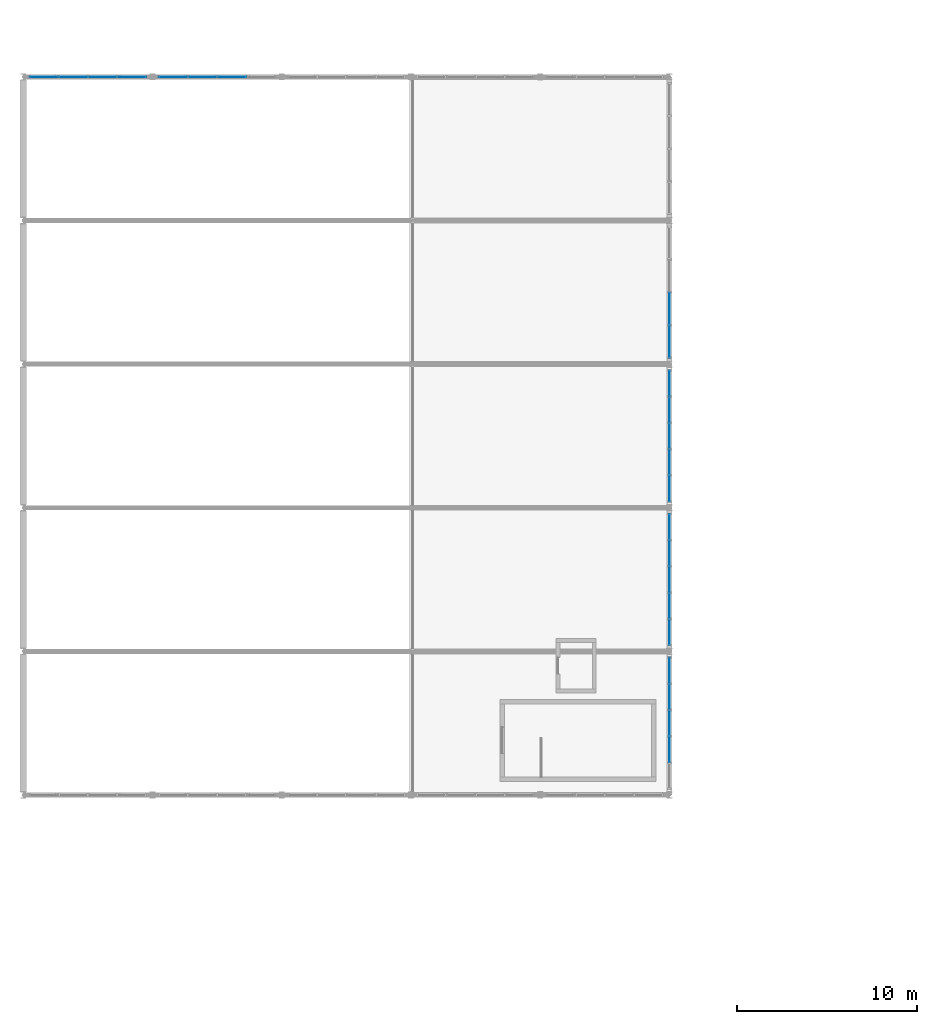
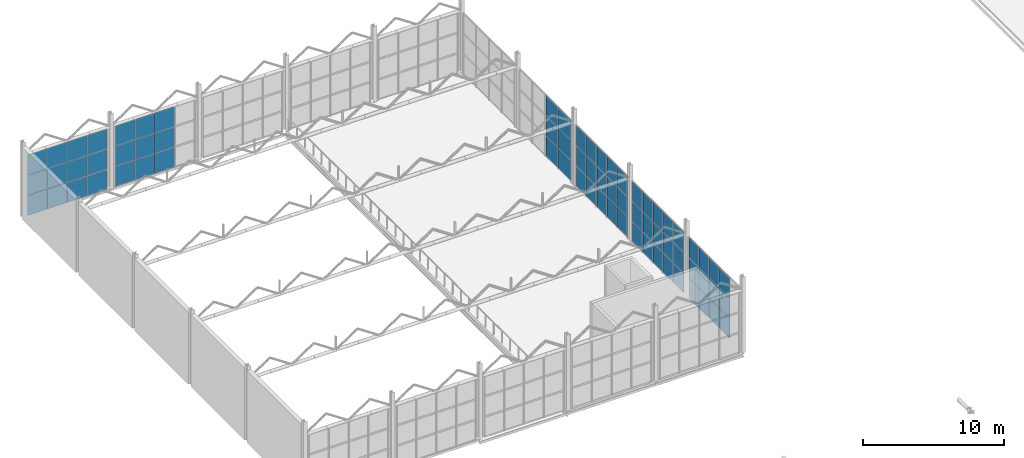
# One storey, part 126 of 153: 69 plates, 6 elements without a shape of their own.
"""IFC4 building model written with IfcOpenShell, lengths in metres."""

from ifc_helpers import new_model, si_unit, derived_unit, direction, frame, origin, origin_2d, place, context, subcontext, project, spatial, rectangle, extrude, material, layer, layer_set, type_object, element, aggregate, save


model = new_model("IFC4")

# Units and contexts
model_context = context("Model", 3, precision=1e-05, world=origin(), true_north=direction((0.0, 1.0)))
body_context = subcontext(model_context, "Body", "Model", "MODEL_VIEW")
ifc_project = project(units=[si_unit("LENGTHUNIT", "METRE"), si_unit("AREAUNIT", "SQUARE_METRE"), si_unit("VOLUMEUNIT", "CUBIC_METRE"), si_unit("PLANEANGLEUNIT", "RADIAN"), si_unit("MASSUNIT", "GRAM", prefix="KILO"), derived_unit("THERMALTRANSMITTANCEUNIT", [(si_unit("POWERUNIT", "WATT"), 1), (si_unit("LENGTHUNIT", "METRE"), -2), (si_unit("THERMODYNAMICTEMPERATUREUNIT", "KELVIN"), -1)])], contexts=[model_context])

# Site, building, storey
site_placement = place(None, origin())
site = spatial("IfcSite", under=ifc_project, at=site_placement, CompositionType="ELEMENT")
building_placement = place(site_placement, origin())
building = spatial("IfcBuilding", under=site, at=building_placement, Name="Keldorne Ridge Multi-Sports Centre", CompositionType="ELEMENT")
storey_placement = place(building_placement, frame((0.0, 0.0, 9.60009765625)))
storey = spatial("IfcBuildingStorey", under=building, at=storey_placement, Name="L02", CompositionType="ELEMENT", Elevation=9.60009765625)

# Curtain wall, plates
ifc_material_1 = material(Name="Anodized aluminium", Category="aluminium")
curtain_wall_type_1 = type_object("IfcCurtainWallType", Name="CW-CW-04", PredefinedType="NOTDEFINED", material=ifc_material_1)
curtain_wall_1_placement = place(storey_placement, origin())
curtain_wall_1 = element("IfcCurtainWall", 1, at=curtain_wall_1_placement, inside=storey, type_object=curtain_wall_type_1, Name="Climbing east courtyard glazing L02 060", PredefinedType="NOTDEFINED")
ifc_material_2 = material(Name="Double low-e insulated glazing", Category="glass")
ifc_layer_1 = layer(ifc_material_2, 0.035888671875)
ifc_layer_set_1 = layer_set([ifc_layer_1])
plate_type_1 = type_object("IfcPlateType", Name="PLT-GL-01", PredefinedType="CURTAIN_PANEL", material=ifc_layer_set_1)
plate_1_placement = place(storey_placement, frame((42.0, 76.535888671875, 0.02001953125), z_axis=(0.0, 0.0, 1.0), x_axis=(0.0, 1.0, 0.0)))
plate_1 = element("IfcPlate", 2, at=plate_1_placement, type_object=plate_type_1, Name="CW-060 glazed panel 2.1", PredefinedType="CURTAIN_PANEL", context=body_context, shape_type="SweptSolid", body=[
    extrude(rectangle(XDim=1.424072265625, YDim=0.035888671875, at=origin_2d()), origin(), (0.0, 0.0, 1.0), 1.726806640625),
])
plate_2_placement = place(storey_placement, frame((42.0, 76.535888671875, 1.78662109375), z_axis=(0.0, 0.0, 1.0), x_axis=(0.0, 1.0, 0.0)))
plate_2 = element("IfcPlate", 3, at=plate_2_placement, type_object=plate_type_1, Name="CW-060 glazed panel 2.2", PredefinedType="CURTAIN_PANEL", context=body_context, shape_type="SweptSolid", body=[
    extrude(rectangle(XDim=1.424072265625, YDim=0.035888671875, at=origin_2d()), origin(), (0.0, 0.0, 1.0), 1.726806640625),
])
plate_3_placement = place(storey_placement, frame((42.0, 76.535888671875, 3.55322265625), z_axis=(0.0, 0.0, 1.0), x_axis=(0.0, 1.0, 0.0)))
plate_3 = element("IfcPlate", 4, at=plate_3_placement, type_object=plate_type_1, Name="CW-060 glazed panel 2.3", PredefinedType="CURTAIN_PANEL", context=body_context, shape_type="SweptSolid", body=[
    extrude(rectangle(XDim=1.424072265625, YDim=0.035888671875, at=origin_2d()), origin(), (0.0, 0.0, 1.0), 1.726806640625),
])
plate_4_placement = place(storey_placement, frame((42.0, 78.0, 0.02001953125), z_axis=(0.0, 0.0, 1.0), x_axis=(0.0, 1.0, 0.0)))
plate_4 = element("IfcPlate", 5, at=plate_4_placement, type_object=plate_type_1, Name="CW-060 glazed panel 3.1", PredefinedType="CURTAIN_PANEL", context=body_context, shape_type="SweptSolid", body=[
    extrude(rectangle(XDim=1.424072265625, YDim=0.035888671875, at=origin_2d()), origin(), (0.0, 0.0, 1.0), 1.726806640625),
])
plate_5_placement = place(storey_placement, frame((42.0, 78.0, 1.78662109375), z_axis=(0.0, 0.0, 1.0), x_axis=(0.0, 1.0, 0.0)))
plate_5 = element("IfcPlate", 6, at=plate_5_placement, type_object=plate_type_1, Name="CW-060 glazed panel 3.2", PredefinedType="CURTAIN_PANEL", context=body_context, shape_type="SweptSolid", body=[
    extrude(rectangle(XDim=1.424072265625, YDim=0.035888671875, at=origin_2d()), origin(), (0.0, 0.0, 1.0), 1.726806640625),
])
plate_6_placement = place(storey_placement, frame((42.0, 78.0, 3.55322265625), z_axis=(0.0, 0.0, 1.0), x_axis=(0.0, 1.0, 0.0)))
plate_6 = element("IfcPlate", 7, at=plate_6_placement, type_object=plate_type_1, Name="CW-060 glazed panel 3.3", PredefinedType="CURTAIN_PANEL", context=body_context, shape_type="SweptSolid", body=[
    extrude(rectangle(XDim=1.424072265625, YDim=0.035888671875, at=origin_2d()), origin(), (0.0, 0.0, 1.0), 1.726806640625),
])
plate_7_placement = place(storey_placement, frame((42.0, 79.464111328125, 0.02001953125), z_axis=(0.0, 0.0, 1.0), x_axis=(0.0, 1.0, 0.0)))
plate_7 = element("IfcPlate", 8, at=plate_7_placement, type_object=plate_type_1, Name="CW-060 glazed panel 4.1", PredefinedType="CURTAIN_PANEL", context=body_context, shape_type="SweptSolid", body=[
    extrude(rectangle(XDim=1.424072265625, YDim=0.035888671875, at=origin_2d()), origin(), (0.0, 0.0, 1.0), 1.726806640625),
])
plate_8_placement = place(storey_placement, frame((42.0, 79.464111328125, 1.78662109375), z_axis=(0.0, 0.0, 1.0), x_axis=(0.0, 1.0, 0.0)))
plate_8 = element("IfcPlate", 9, at=plate_8_placement, type_object=plate_type_1, Name="CW-060 glazed panel 4.2", PredefinedType="CURTAIN_PANEL", context=body_context, shape_type="SweptSolid", body=[
    extrude(rectangle(XDim=1.424072265625, YDim=0.035888671875, at=origin_2d()), origin(), (0.0, 0.0, 1.0), 1.726806640625),
])
plate_9_placement = place(storey_placement, frame((42.0, 79.464111328125, 3.55322265625), z_axis=(0.0, 0.0, 1.0), x_axis=(0.0, 1.0, 0.0)))
plate_9 = element("IfcPlate", 10, at=plate_9_placement, type_object=plate_type_1, Name="CW-060 glazed panel 4.3", PredefinedType="CURTAIN_PANEL", context=body_context, shape_type="SweptSolid", body=[
    extrude(rectangle(XDim=1.424072265625, YDim=0.035888671875, at=origin_2d()), origin(), (0.0, 0.0, 1.0), 1.726806640625),
])
plate_10_placement = place(storey_placement, frame((42.0, 80.927978515625, 0.02001953125), z_axis=(0.0, 0.0, 1.0), x_axis=(0.0, 1.0, 0.0)))
plate_10 = element("IfcPlate", 11, at=plate_10_placement, type_object=plate_type_1, Name="CW-060 glazed panel 5.1", PredefinedType="CURTAIN_PANEL", context=body_context, shape_type="SweptSolid", body=[
    extrude(rectangle(XDim=1.424072265625, YDim=0.035888671875, at=origin_2d()), origin(), (0.0, 0.0, 1.0), 1.726806640625),
])
plate_11_placement = place(storey_placement, frame((42.0, 80.927978515625, 1.78662109375), z_axis=(0.0, 0.0, 1.0), x_axis=(0.0, 1.0, 0.0)))
plate_11 = element("IfcPlate", 12, at=plate_11_placement, type_object=plate_type_1, Name="CW-060 glazed panel 5.2", PredefinedType="CURTAIN_PANEL", context=body_context, shape_type="SweptSolid", body=[
    extrude(rectangle(XDim=1.424072265625, YDim=0.035888671875, at=origin_2d()), origin(), (0.0, 0.0, 1.0), 1.726806640625),
])
plate_12_placement = place(storey_placement, frame((42.0, 80.927978515625, 3.55322265625), z_axis=(0.0, 0.0, 1.0), x_axis=(0.0, 1.0, 0.0)))
plate_12 = element("IfcPlate", 13, at=plate_12_placement, type_object=plate_type_1, Name="CW-060 glazed panel 5.3", PredefinedType="CURTAIN_PANEL", context=body_context, shape_type="SweptSolid", body=[
    extrude(rectangle(XDim=1.424072265625, YDim=0.035888671875, at=origin_2d()), origin(), (0.0, 0.0, 1.0), 1.726806640625),
])
aggregate(curtain_wall_1, [plate_1, plate_2, plate_3, plate_4, plate_5, plate_6, plate_7, plate_8, plate_9, plate_10, plate_11, plate_12])

curtain_wall_type_2 = type_object("IfcCurtainWallType", Name="CW-CW-07", PredefinedType="NOTDEFINED", material=ifc_material_1)
curtain_wall_2_placement = place(storey_placement, origin())
curtain_wall_2 = element("IfcCurtainWall", 14, at=curtain_wall_2_placement, inside=storey, type_object=curtain_wall_type_2, Name="Climbing east courtyard glazing L02 063", PredefinedType="NOTDEFINED")
plate_13_placement = place(storey_placement, frame((42.0, 83.072021484375, 0.02001953125), z_axis=(0.0, 0.0, 1.0), x_axis=(0.0, 1.0, 0.0)))
plate_13 = element("IfcPlate", 15, at=plate_13_placement, type_object=plate_type_1, Name="CW-063 glazed panel 1.1", PredefinedType="CURTAIN_PANEL", context=body_context, shape_type="SweptSolid", body=[
    extrude(rectangle(XDim=1.424072265625, YDim=0.035888671875, at=origin_2d()), origin(), (0.0, 0.0, 1.0), 1.726806640625),
])
plate_14_placement = place(storey_placement, frame((42.0, 83.072021484375, 1.78662109375), z_axis=(0.0, 0.0, 1.0), x_axis=(0.0, 1.0, 0.0)))
plate_14 = element("IfcPlate", 16, at=plate_14_placement, type_object=plate_type_1, Name="CW-063 glazed panel 1.2", PredefinedType="CURTAIN_PANEL", context=body_context, shape_type="SweptSolid", body=[
    extrude(rectangle(XDim=1.424072265625, YDim=0.035888671875, at=origin_2d()), origin(), (0.0, 0.0, 1.0), 1.726806640625),
])
plate_15_placement = place(storey_placement, frame((42.0, 83.072021484375, 3.55322265625), z_axis=(0.0, 0.0, 1.0), x_axis=(0.0, 1.0, 0.0)))
plate_15 = element("IfcPlate", 17, at=plate_15_placement, type_object=plate_type_1, Name="CW-063 glazed panel 1.3", PredefinedType="CURTAIN_PANEL", context=body_context, shape_type="SweptSolid", body=[
    extrude(rectangle(XDim=1.424072265625, YDim=0.035888671875, at=origin_2d()), origin(), (0.0, 0.0, 1.0), 1.726806640625),
])
plate_16_placement = place(storey_placement, frame((42.0, 84.535888671875, 0.02001953125), z_axis=(0.0, 0.0, 1.0), x_axis=(0.0, 1.0, 0.0)))
plate_16 = element("IfcPlate", 18, at=plate_16_placement, type_object=plate_type_1, Name="CW-063 glazed panel 2.1", PredefinedType="CURTAIN_PANEL", context=body_context, shape_type="SweptSolid", body=[
    extrude(rectangle(XDim=1.424072265625, YDim=0.035888671875, at=origin_2d()), origin(), (0.0, 0.0, 1.0), 1.726806640625),
])
plate_17_placement = place(storey_placement, frame((42.0, 84.535888671875, 1.78662109375), z_axis=(0.0, 0.0, 1.0), x_axis=(0.0, 1.0, 0.0)))
plate_17 = element("IfcPlate", 19, at=plate_17_placement, type_object=plate_type_1, Name="CW-063 glazed panel 2.2", PredefinedType="CURTAIN_PANEL", context=body_context, shape_type="SweptSolid", body=[
    extrude(rectangle(XDim=1.424072265625, YDim=0.035888671875, at=origin_2d()), origin(), (0.0, 0.0, 1.0), 1.726806640625),
])
plate_18_placement = place(storey_placement, frame((42.0, 84.535888671875, 3.55322265625), z_axis=(0.0, 0.0, 1.0), x_axis=(0.0, 1.0, 0.0)))
plate_18 = element("IfcPlate", 20, at=plate_18_placement, type_object=plate_type_1, Name="CW-063 glazed panel 2.3", PredefinedType="CURTAIN_PANEL", context=body_context, shape_type="SweptSolid", body=[
    extrude(rectangle(XDim=1.424072265625, YDim=0.035888671875, at=origin_2d()), origin(), (0.0, 0.0, 1.0), 1.726806640625),
])
plate_19_placement = place(storey_placement, frame((42.0, 86.0, 0.02001953125), z_axis=(0.0, 0.0, 1.0), x_axis=(0.0, 1.0, 0.0)))
plate_19 = element("IfcPlate", 21, at=plate_19_placement, type_object=plate_type_1, Name="CW-063 glazed panel 3.1", PredefinedType="CURTAIN_PANEL", context=body_context, shape_type="SweptSolid", body=[
    extrude(rectangle(XDim=1.424072265625, YDim=0.035888671875, at=origin_2d()), origin(), (0.0, 0.0, 1.0), 1.726806640625),
])
plate_20_placement = place(storey_placement, frame((42.0, 86.0, 1.78662109375), z_axis=(0.0, 0.0, 1.0), x_axis=(0.0, 1.0, 0.0)))
plate_20 = element("IfcPlate", 22, at=plate_20_placement, type_object=plate_type_1, Name="CW-063 glazed panel 3.2", PredefinedType="CURTAIN_PANEL", context=body_context, shape_type="SweptSolid", body=[
    extrude(rectangle(XDim=1.424072265625, YDim=0.035888671875, at=origin_2d()), origin(), (0.0, 0.0, 1.0), 1.726806640625),
])
plate_21_placement = place(storey_placement, frame((42.0, 86.0, 3.55322265625), z_axis=(0.0, 0.0, 1.0), x_axis=(0.0, 1.0, 0.0)))
plate_21 = element("IfcPlate", 23, at=plate_21_placement, type_object=plate_type_1, Name="CW-063 glazed panel 3.3", PredefinedType="CURTAIN_PANEL", context=body_context, shape_type="SweptSolid", body=[
    extrude(rectangle(XDim=1.424072265625, YDim=0.035888671875, at=origin_2d()), origin(), (0.0, 0.0, 1.0), 1.726806640625),
])
plate_22_placement = place(storey_placement, frame((42.0, 87.464111328125, 0.02001953125), z_axis=(0.0, 0.0, 1.0), x_axis=(0.0, 1.0, 0.0)))
plate_22 = element("IfcPlate", 24, at=plate_22_placement, type_object=plate_type_1, Name="CW-063 glazed panel 4.1", PredefinedType="CURTAIN_PANEL", context=body_context, shape_type="SweptSolid", body=[
    extrude(rectangle(XDim=1.424072265625, YDim=0.035888671875, at=origin_2d()), origin(), (0.0, 0.0, 1.0), 1.726806640625),
])
plate_23_placement = place(storey_placement, frame((42.0, 87.464111328125, 1.78662109375), z_axis=(0.0, 0.0, 1.0), x_axis=(0.0, 1.0, 0.0)))
plate_23 = element("IfcPlate", 25, at=plate_23_placement, type_object=plate_type_1, Name="CW-063 glazed panel 4.2", PredefinedType="CURTAIN_PANEL", context=body_context, shape_type="SweptSolid", body=[
    extrude(rectangle(XDim=1.424072265625, YDim=0.035888671875, at=origin_2d()), origin(), (0.0, 0.0, 1.0), 1.726806640625),
])
plate_24_placement = place(storey_placement, frame((42.0, 87.464111328125, 3.55322265625), z_axis=(0.0, 0.0, 1.0), x_axis=(0.0, 1.0, 0.0)))
plate_24 = element("IfcPlate", 26, at=plate_24_placement, type_object=plate_type_1, Name="CW-063 glazed panel 4.3", PredefinedType="CURTAIN_PANEL", context=body_context, shape_type="SweptSolid", body=[
    extrude(rectangle(XDim=1.424072265625, YDim=0.035888671875, at=origin_2d()), origin(), (0.0, 0.0, 1.0), 1.726806640625),
])
plate_25_placement = place(storey_placement, frame((42.0, 88.927978515625, 0.02001953125), z_axis=(0.0, 0.0, 1.0), x_axis=(0.0, 1.0, 0.0)))
plate_25 = element("IfcPlate", 27, at=plate_25_placement, type_object=plate_type_1, Name="CW-063 glazed panel 5.1", PredefinedType="CURTAIN_PANEL", context=body_context, shape_type="SweptSolid", body=[
    extrude(rectangle(XDim=1.424072265625, YDim=0.035888671875, at=origin_2d()), origin(), (0.0, 0.0, 1.0), 1.726806640625),
])
plate_26_placement = place(storey_placement, frame((42.0, 88.927978515625, 1.78662109375), z_axis=(0.0, 0.0, 1.0), x_axis=(0.0, 1.0, 0.0)))
plate_26 = element("IfcPlate", 28, at=plate_26_placement, type_object=plate_type_1, Name="CW-063 glazed panel 5.2", PredefinedType="CURTAIN_PANEL", context=body_context, shape_type="SweptSolid", body=[
    extrude(rectangle(XDim=1.424072265625, YDim=0.035888671875, at=origin_2d()), origin(), (0.0, 0.0, 1.0), 1.726806640625),
])
plate_27_placement = place(storey_placement, frame((42.0, 88.927978515625, 3.55322265625), z_axis=(0.0, 0.0, 1.0), x_axis=(0.0, 1.0, 0.0)))
plate_27 = element("IfcPlate", 29, at=plate_27_placement, type_object=plate_type_1, Name="CW-063 glazed panel 5.3", PredefinedType="CURTAIN_PANEL", context=body_context, shape_type="SweptSolid", body=[
    extrude(rectangle(XDim=1.424072265625, YDim=0.035888671875, at=origin_2d()), origin(), (0.0, 0.0, 1.0), 1.726806640625),
])
aggregate(curtain_wall_2, [plate_13, plate_14, plate_15, plate_16, plate_17, plate_18, plate_19, plate_20, plate_21, plate_22, plate_23, plate_24, plate_25, plate_26, plate_27])

curtain_wall_type_3 = type_object("IfcCurtainWallType", Name="CW-CW-02", PredefinedType="NOTDEFINED", material=ifc_material_1)
curtain_wall_3_placement = place(storey_placement, origin())
curtain_wall_3 = element("IfcCurtainWall", 30, at=curtain_wall_3_placement, inside=storey, type_object=curtain_wall_type_3, Name="Climbing east courtyard glazing L02 066", PredefinedType="NOTDEFINED")
plate_28_placement = place(storey_placement, frame((42.0, 91.072021484375, 0.02001953125), z_axis=(0.0, 0.0, 1.0), x_axis=(0.0, 1.0, 0.0)))
plate_28 = element("IfcPlate", 31, at=plate_28_placement, type_object=plate_type_1, Name="CW-066 glazed panel 1.1", PredefinedType="CURTAIN_PANEL", context=body_context, shape_type="SweptSolid", body=[
    extrude(rectangle(XDim=1.424072265625, YDim=0.035888671875, at=origin_2d()), origin(), (0.0, 0.0, 1.0), 1.726806640625),
])
plate_29_placement = place(storey_placement, frame((42.0, 91.072021484375, 1.78662109375), z_axis=(0.0, 0.0, 1.0), x_axis=(0.0, 1.0, 0.0)))
plate_29 = element("IfcPlate", 32, at=plate_29_placement, type_object=plate_type_1, Name="CW-066 glazed panel 1.2", PredefinedType="CURTAIN_PANEL", context=body_context, shape_type="SweptSolid", body=[
    extrude(rectangle(XDim=1.424072265625, YDim=0.035888671875, at=origin_2d()), origin(), (0.0, 0.0, 1.0), 1.726806640625),
])
plate_30_placement = place(storey_placement, frame((42.0, 91.072021484375, 3.55322265625), z_axis=(0.0, 0.0, 1.0), x_axis=(0.0, 1.0, 0.0)))
plate_30 = element("IfcPlate", 33, at=plate_30_placement, type_object=plate_type_1, Name="CW-066 glazed panel 1.3", PredefinedType="CURTAIN_PANEL", context=body_context, shape_type="SweptSolid", body=[
    extrude(rectangle(XDim=1.424072265625, YDim=0.035888671875, at=origin_2d()), origin(), (0.0, 0.0, 1.0), 1.726806640625),
])
plate_31_placement = place(storey_placement, frame((42.0, 92.535888671875, 0.02001953125), z_axis=(0.0, 0.0, 1.0), x_axis=(0.0, 1.0, 0.0)))
plate_31 = element("IfcPlate", 34, at=plate_31_placement, type_object=plate_type_1, Name="CW-066 glazed panel 2.1", PredefinedType="CURTAIN_PANEL", context=body_context, shape_type="SweptSolid", body=[
    extrude(rectangle(XDim=1.424072265625, YDim=0.035888671875, at=origin_2d()), origin(), (0.0, 0.0, 1.0), 1.726806640625),
])
plate_32_placement = place(storey_placement, frame((42.0, 92.535888671875, 1.78662109375), z_axis=(0.0, 0.0, 1.0), x_axis=(0.0, 1.0, 0.0)))
plate_32 = element("IfcPlate", 35, at=plate_32_placement, type_object=plate_type_1, Name="CW-066 glazed panel 2.2", PredefinedType="CURTAIN_PANEL", context=body_context, shape_type="SweptSolid", body=[
    extrude(rectangle(XDim=1.424072265625, YDim=0.035888671875, at=origin_2d()), origin(), (0.0, 0.0, 1.0), 1.726806640625),
])
plate_33_placement = place(storey_placement, frame((42.0, 92.535888671875, 3.55322265625), z_axis=(0.0, 0.0, 1.0), x_axis=(0.0, 1.0, 0.0)))
plate_33 = element("IfcPlate", 36, at=plate_33_placement, type_object=plate_type_1, Name="CW-066 glazed panel 2.3", PredefinedType="CURTAIN_PANEL", context=body_context, shape_type="SweptSolid", body=[
    extrude(rectangle(XDim=1.424072265625, YDim=0.035888671875, at=origin_2d()), origin(), (0.0, 0.0, 1.0), 1.726806640625),
])
plate_34_placement = place(storey_placement, frame((42.0, 94.0, 0.02001953125), z_axis=(0.0, 0.0, 1.0), x_axis=(0.0, 1.0, 0.0)))
plate_34 = element("IfcPlate", 37, at=plate_34_placement, type_object=plate_type_1, Name="CW-066 glazed panel 3.1", PredefinedType="CURTAIN_PANEL", context=body_context, shape_type="SweptSolid", body=[
    extrude(rectangle(XDim=1.424072265625, YDim=0.035888671875, at=origin_2d()), origin(), (0.0, 0.0, 1.0), 1.726806640625),
])
plate_35_placement = place(storey_placement, frame((42.0, 94.0, 1.78662109375), z_axis=(0.0, 0.0, 1.0), x_axis=(0.0, 1.0, 0.0)))
plate_35 = element("IfcPlate", 38, at=plate_35_placement, type_object=plate_type_1, Name="CW-066 glazed panel 3.2", PredefinedType="CURTAIN_PANEL", context=body_context, shape_type="SweptSolid", body=[
    extrude(rectangle(XDim=1.424072265625, YDim=0.035888671875, at=origin_2d()), origin(), (0.0, 0.0, 1.0), 1.726806640625),
])
plate_36_placement = place(storey_placement, frame((42.0, 94.0, 3.55322265625), z_axis=(0.0, 0.0, 1.0), x_axis=(0.0, 1.0, 0.0)))
plate_36 = element("IfcPlate", 39, at=plate_36_placement, type_object=plate_type_1, Name="CW-066 glazed panel 3.3", PredefinedType="CURTAIN_PANEL", context=body_context, shape_type="SweptSolid", body=[
    extrude(rectangle(XDim=1.424072265625, YDim=0.035888671875, at=origin_2d()), origin(), (0.0, 0.0, 1.0), 1.726806640625),
])
plate_37_placement = place(storey_placement, frame((42.0, 95.464111328125, 0.02001953125), z_axis=(0.0, 0.0, 1.0), x_axis=(0.0, 1.0, 0.0)))
plate_37 = element("IfcPlate", 40, at=plate_37_placement, type_object=plate_type_1, Name="CW-066 glazed panel 4.1", PredefinedType="CURTAIN_PANEL", context=body_context, shape_type="SweptSolid", body=[
    extrude(rectangle(XDim=1.424072265625, YDim=0.035888671875, at=origin_2d()), origin(), (0.0, 0.0, 1.0), 1.726806640625),
])
plate_38_placement = place(storey_placement, frame((42.0, 95.464111328125, 1.78662109375), z_axis=(0.0, 0.0, 1.0), x_axis=(0.0, 1.0, 0.0)))
plate_38 = element("IfcPlate", 41, at=plate_38_placement, type_object=plate_type_1, Name="CW-066 glazed panel 4.2", PredefinedType="CURTAIN_PANEL", context=body_context, shape_type="SweptSolid", body=[
    extrude(rectangle(XDim=1.424072265625, YDim=0.035888671875, at=origin_2d()), origin(), (0.0, 0.0, 1.0), 1.726806640625),
])
plate_39_placement = place(storey_placement, frame((42.0, 95.464111328125, 3.55322265625), z_axis=(0.0, 0.0, 1.0), x_axis=(0.0, 1.0, 0.0)))
plate_39 = element("IfcPlate", 42, at=plate_39_placement, type_object=plate_type_1, Name="CW-066 glazed panel 4.3", PredefinedType="CURTAIN_PANEL", context=body_context, shape_type="SweptSolid", body=[
    extrude(rectangle(XDim=1.424072265625, YDim=0.035888671875, at=origin_2d()), origin(), (0.0, 0.0, 1.0), 1.726806640625),
])
plate_40_placement = place(storey_placement, frame((42.0, 96.927978515625, 0.02001953125), z_axis=(0.0, 0.0, 1.0), x_axis=(0.0, 1.0, 0.0)))
plate_40 = element("IfcPlate", 43, at=plate_40_placement, type_object=plate_type_1, Name="CW-066 glazed panel 5.1", PredefinedType="CURTAIN_PANEL", context=body_context, shape_type="SweptSolid", body=[
    extrude(rectangle(XDim=1.424072265625, YDim=0.035888671875, at=origin_2d()), origin(), (0.0, 0.0, 1.0), 1.726806640625),
])
plate_41_placement = place(storey_placement, frame((42.0, 96.927978515625, 1.78662109375), z_axis=(0.0, 0.0, 1.0), x_axis=(0.0, 1.0, 0.0)))
plate_41 = element("IfcPlate", 44, at=plate_41_placement, type_object=plate_type_1, Name="CW-066 glazed panel 5.2", PredefinedType="CURTAIN_PANEL", context=body_context, shape_type="SweptSolid", body=[
    extrude(rectangle(XDim=1.424072265625, YDim=0.035888671875, at=origin_2d()), origin(), (0.0, 0.0, 1.0), 1.726806640625),
])
plate_42_placement = place(storey_placement, frame((42.0, 96.927978515625, 3.55322265625), z_axis=(0.0, 0.0, 1.0), x_axis=(0.0, 1.0, 0.0)))
plate_42 = element("IfcPlate", 45, at=plate_42_placement, type_object=plate_type_1, Name="CW-066 glazed panel 5.3", PredefinedType="CURTAIN_PANEL", context=body_context, shape_type="SweptSolid", body=[
    extrude(rectangle(XDim=1.424072265625, YDim=0.035888671875, at=origin_2d()), origin(), (0.0, 0.0, 1.0), 1.726806640625),
])
aggregate(curtain_wall_3, [plate_28, plate_29, plate_30, plate_31, plate_32, plate_33, plate_34, plate_35, plate_36, plate_37, plate_38, plate_39, plate_40, plate_41, plate_42])

curtain_wall_type_4 = type_object("IfcCurtainWallType", Name="CW-CW-05", PredefinedType="NOTDEFINED", material=ifc_material_1)
curtain_wall_4_placement = place(storey_placement, origin())
curtain_wall_4 = element("IfcCurtainWall", 46, at=curtain_wall_4_placement, inside=storey, type_object=curtain_wall_type_4, Name="Climbing east courtyard glazing L02 069", PredefinedType="NOTDEFINED")
plate_43_placement = place(storey_placement, frame((42.0, 99.2548828125, 0.02001953125), z_axis=(0.0, 0.0, 1.0), x_axis=(0.0, 1.0, 0.0)))
plate_43 = element("IfcPlate", 47, at=plate_43_placement, type_object=plate_type_1, Name="CW-069 glazed panel 1.1", PredefinedType="CURTAIN_PANEL", context=body_context, shape_type="SweptSolid", body=[
    extrude(rectangle(XDim=1.7900390625, YDim=0.035888671875, at=origin_2d()), origin(), (0.0, 0.0, 1.0), 1.726806640625),
])
plate_44_placement = place(storey_placement, frame((42.0, 99.2548828125, 1.78662109375), z_axis=(0.0, 0.0, 1.0), x_axis=(0.0, 1.0, 0.0)))
plate_44 = element("IfcPlate", 48, at=plate_44_placement, type_object=plate_type_1, Name="CW-069 glazed panel 1.2", PredefinedType="CURTAIN_PANEL", context=body_context, shape_type="SweptSolid", body=[
    extrude(rectangle(XDim=1.7900390625, YDim=0.035888671875, at=origin_2d()), origin(), (0.0, 0.0, 1.0), 1.726806640625),
])
plate_45_placement = place(storey_placement, frame((42.0, 99.2548828125, 3.55322265625), z_axis=(0.0, 0.0, 1.0), x_axis=(0.0, 1.0, 0.0)))
plate_45 = element("IfcPlate", 49, at=plate_45_placement, type_object=plate_type_1, Name="CW-069 glazed panel 1.3", PredefinedType="CURTAIN_PANEL", context=body_context, shape_type="SweptSolid", body=[
    extrude(rectangle(XDim=1.7900390625, YDim=0.035888671875, at=origin_2d()), origin(), (0.0, 0.0, 1.0), 1.726806640625),
])
plate_46_placement = place(storey_placement, frame((42.0, 101.0849609375, 0.02001953125), z_axis=(0.0, 0.0, 1.0), x_axis=(0.0, 1.0, 0.0)))
plate_46 = element("IfcPlate", 50, at=plate_46_placement, type_object=plate_type_1, Name="CW-069 glazed panel 2.1", PredefinedType="CURTAIN_PANEL", context=body_context, shape_type="SweptSolid", body=[
    extrude(rectangle(XDim=1.7900390625, YDim=0.035888671875, at=origin_2d()), origin(), (0.0, 0.0, 1.0), 1.726806640625),
])
plate_47_placement = place(storey_placement, frame((42.0, 101.0849609375, 1.78662109375), z_axis=(0.0, 0.0, 1.0), x_axis=(0.0, 1.0, 0.0)))
plate_47 = element("IfcPlate", 51, at=plate_47_placement, type_object=plate_type_1, Name="CW-069 glazed panel 2.2", PredefinedType="CURTAIN_PANEL", context=body_context, shape_type="SweptSolid", body=[
    extrude(rectangle(XDim=1.7900390625, YDim=0.035888671875, at=origin_2d()), origin(), (0.0, 0.0, 1.0), 1.726806640625),
])
plate_48_placement = place(storey_placement, frame((42.0, 101.0849609375, 3.55322265625), z_axis=(0.0, 0.0, 1.0), x_axis=(0.0, 1.0, 0.0)))
plate_48 = element("IfcPlate", 52, at=plate_48_placement, type_object=plate_type_1, Name="CW-069 glazed panel 2.3", PredefinedType="CURTAIN_PANEL", context=body_context, shape_type="SweptSolid", body=[
    extrude(rectangle(XDim=1.7900390625, YDim=0.035888671875, at=origin_2d()), origin(), (0.0, 0.0, 1.0), 1.726806640625),
])
aggregate(curtain_wall_4, [plate_43, plate_44, plate_45, plate_46, plate_47, plate_48])

curtain_wall_5_placement = place(storey_placement, origin())
curtain_wall_5 = element("IfcCurtainWall", 53, at=curtain_wall_5_placement, inside=storey, type_object=curtain_wall_type_2, Name="Climbing north glazing L02 039", PredefinedType="NOTDEFINED")
ifc_material_3 = material(Name="Triple acoustic low-e glazing", Category="glass")
ifc_layer_2 = layer(ifc_material_3, 0.0439453125)
ifc_layer_set_2 = layer_set([ifc_layer_2])
plate_type_2 = type_object("IfcPlateType", Name="PLT-GL-02", PredefinedType="CURTAIN_PANEL", material=ifc_layer_set_2)
plate_49_placement = place(storey_placement, frame((12.044921875, 114.0, 0.02001953125), z_axis=(0.0, 0.0, 1.0), x_axis=(-1.0, 0.0, 0.0)))
plate_49 = element("IfcPlate", 54, at=plate_49_placement, type_object=plate_type_2, Name="CW-039 glazed panel 1.1", PredefinedType="CURTAIN_PANEL", context=body_context, shape_type="SweptSolid", body=[
    extrude(rectangle(XDim=1.590087890625, YDim=0.0439453125, at=origin_2d()), origin(), (0.0, 0.0, 1.0), 1.726806640625),
])
plate_50_placement = place(storey_placement, frame((12.044921875, 114.0, 1.78662109375), z_axis=(0.0, 0.0, 1.0), x_axis=(-1.0, 0.0, 0.0)))
plate_50 = element("IfcPlate", 55, at=plate_50_placement, type_object=plate_type_2, Name="CW-039 glazed panel 1.2", PredefinedType="CURTAIN_PANEL", context=body_context, shape_type="SweptSolid", body=[
    extrude(rectangle(XDim=1.590087890625, YDim=0.0439453125, at=origin_2d()), origin(), (0.0, 0.0, 1.0), 1.726806640625),
])
plate_51_placement = place(storey_placement, frame((12.044921875, 114.0, 3.55322265625), z_axis=(0.0, 0.0, 1.0), x_axis=(-1.0, 0.0, 0.0)))
plate_51 = element("IfcPlate", 56, at=plate_51_placement, type_object=plate_type_2, Name="CW-039 glazed panel 1.3", PredefinedType="CURTAIN_PANEL", context=body_context, shape_type="SweptSolid", body=[
    extrude(rectangle(XDim=1.590087890625, YDim=0.0439453125, at=origin_2d()), origin(), (0.0, 0.0, 1.0), 1.726806640625),
])
plate_52_placement = place(storey_placement, frame((10.4150390625, 114.0, 0.02001953125), z_axis=(0.0, 0.0, 1.0), x_axis=(-1.0, 0.0, 0.0)))
plate_52 = element("IfcPlate", 57, at=plate_52_placement, type_object=plate_type_2, Name="CW-039 glazed panel 2.1", PredefinedType="CURTAIN_PANEL", context=body_context, shape_type="SweptSolid", body=[
    extrude(rectangle(XDim=1.590087890625, YDim=0.0439453125, at=origin_2d()), origin(), (0.0, 0.0, 1.0), 1.726806640625),
])
plate_53_placement = place(storey_placement, frame((10.4150390625, 114.0, 1.78662109375), z_axis=(0.0, 0.0, 1.0), x_axis=(-1.0, 0.0, 0.0)))
plate_53 = element("IfcPlate", 58, at=plate_53_placement, type_object=plate_type_2, Name="CW-039 glazed panel 2.2", PredefinedType="CURTAIN_PANEL", context=body_context, shape_type="SweptSolid", body=[
    extrude(rectangle(XDim=1.590087890625, YDim=0.0439453125, at=origin_2d()), origin(), (0.0, 0.0, 1.0), 1.726806640625),
])
plate_54_placement = place(storey_placement, frame((10.4150390625, 114.0, 3.55322265625), z_axis=(0.0, 0.0, 1.0), x_axis=(-1.0, 0.0, 0.0)))
plate_54 = element("IfcPlate", 59, at=plate_54_placement, type_object=plate_type_2, Name="CW-039 glazed panel 2.3", PredefinedType="CURTAIN_PANEL", context=body_context, shape_type="SweptSolid", body=[
    extrude(rectangle(XDim=1.590087890625, YDim=0.0439453125, at=origin_2d()), origin(), (0.0, 0.0, 1.0), 1.726806640625),
])
plate_55_placement = place(storey_placement, frame((8.784912109375, 114.0, 0.02001953125), z_axis=(0.0, 0.0, 1.0), x_axis=(-1.0, 0.0, 0.0)))
plate_55 = element("IfcPlate", 60, at=plate_55_placement, type_object=plate_type_2, Name="CW-039 glazed panel 3.1", PredefinedType="CURTAIN_PANEL", context=body_context, shape_type="SweptSolid", body=[
    extrude(rectangle(XDim=1.590087890625, YDim=0.0439453125, at=origin_2d()), origin(), (0.0, 0.0, 1.0), 1.726806640625),
])
plate_56_placement = place(storey_placement, frame((8.784912109375, 114.0, 1.78662109375), z_axis=(0.0, 0.0, 1.0), x_axis=(-1.0, 0.0, 0.0)))
plate_56 = element("IfcPlate", 61, at=plate_56_placement, type_object=plate_type_2, Name="CW-039 glazed panel 3.2", PredefinedType="CURTAIN_PANEL", context=body_context, shape_type="SweptSolid", body=[
    extrude(rectangle(XDim=1.590087890625, YDim=0.0439453125, at=origin_2d()), origin(), (0.0, 0.0, 1.0), 1.726806640625),
])
plate_57_placement = place(storey_placement, frame((8.784912109375, 114.0, 3.55322265625), z_axis=(0.0, 0.0, 1.0), x_axis=(-1.0, 0.0, 0.0)))
plate_57 = element("IfcPlate", 62, at=plate_57_placement, type_object=plate_type_2, Name="CW-039 glazed panel 3.3", PredefinedType="CURTAIN_PANEL", context=body_context, shape_type="SweptSolid", body=[
    extrude(rectangle(XDim=1.590087890625, YDim=0.0439453125, at=origin_2d()), origin(), (0.0, 0.0, 1.0), 1.726806640625),
])
plate_58_placement = place(storey_placement, frame((7.155029296875, 114.0, 0.02001953125), z_axis=(0.0, 0.0, 1.0), x_axis=(-1.0, 0.0, 0.0)))
plate_58 = element("IfcPlate", 63, at=plate_58_placement, type_object=plate_type_2, Name="CW-039 glazed panel 4.1", PredefinedType="CURTAIN_PANEL", context=body_context, shape_type="SweptSolid", body=[
    extrude(rectangle(XDim=1.590087890625, YDim=0.0439453125, at=origin_2d()), origin(), (0.0, 0.0, 1.0), 1.726806640625),
])
plate_59_placement = place(storey_placement, frame((7.155029296875, 114.0, 1.78662109375), z_axis=(0.0, 0.0, 1.0), x_axis=(-1.0, 0.0, 0.0)))
plate_59 = element("IfcPlate", 64, at=plate_59_placement, type_object=plate_type_2, Name="CW-039 glazed panel 4.2", PredefinedType="CURTAIN_PANEL", context=body_context, shape_type="SweptSolid", body=[
    extrude(rectangle(XDim=1.590087890625, YDim=0.0439453125, at=origin_2d()), origin(), (0.0, 0.0, 1.0), 1.726806640625),
])
plate_60_placement = place(storey_placement, frame((7.155029296875, 114.0, 3.55322265625), z_axis=(0.0, 0.0, 1.0), x_axis=(-1.0, 0.0, 0.0)))
plate_60 = element("IfcPlate", 65, at=plate_60_placement, type_object=plate_type_2, Name="CW-039 glazed panel 4.3", PredefinedType="CURTAIN_PANEL", context=body_context, shape_type="SweptSolid", body=[
    extrude(rectangle(XDim=1.590087890625, YDim=0.0439453125, at=origin_2d()), origin(), (0.0, 0.0, 1.0), 1.726806640625),
])
aggregate(curtain_wall_5, [plate_49, plate_50, plate_51, plate_52, plate_53, plate_54, plate_55, plate_56, plate_57, plate_58, plate_59, plate_60])

curtain_wall_type_5 = type_object("IfcCurtainWallType", Name="CW-CW-03", PredefinedType="NOTDEFINED", material=ifc_material_1)
curtain_wall_6_placement = place(storey_placement, origin())
curtain_wall_6 = element("IfcCurtainWall", 66, at=curtain_wall_6_placement, inside=storey, type_object=curtain_wall_type_5, Name="Climbing north glazing L02 043", PredefinedType="NOTDEFINED")
plate_61_placement = place(storey_placement, frame((17.614990234375, 114.0, 0.02001953125), z_axis=(0.0, 0.0, 1.0), x_axis=(-1.0, 0.0, 0.0)))
plate_61 = element("IfcPlate", 67, at=plate_61_placement, type_object=plate_type_2, Name="CW-043 glazed panel 2.1", PredefinedType="CURTAIN_PANEL", context=body_context, shape_type="SweptSolid", body=[
    extrude(rectangle(XDim=1.590087890625, YDim=0.0439453125, at=origin_2d()), origin(), (0.0, 0.0, 1.0), 1.726806640625),
])
plate_62_placement = place(storey_placement, frame((17.614990234375, 114.0, 1.78662109375), z_axis=(0.0, 0.0, 1.0), x_axis=(-1.0, 0.0, 0.0)))
plate_62 = element("IfcPlate", 68, at=plate_62_placement, type_object=plate_type_2, Name="CW-043 glazed panel 2.2", PredefinedType="CURTAIN_PANEL", context=body_context, shape_type="SweptSolid", body=[
    extrude(rectangle(XDim=1.590087890625, YDim=0.0439453125, at=origin_2d()), origin(), (0.0, 0.0, 1.0), 1.726806640625),
])
plate_63_placement = place(storey_placement, frame((17.614990234375, 114.0, 3.55322265625), z_axis=(0.0, 0.0, 1.0), x_axis=(-1.0, 0.0, 0.0)))
plate_63 = element("IfcPlate", 69, at=plate_63_placement, type_object=plate_type_2, Name="CW-043 glazed panel 2.3", PredefinedType="CURTAIN_PANEL", context=body_context, shape_type="SweptSolid", body=[
    extrude(rectangle(XDim=1.590087890625, YDim=0.0439453125, at=origin_2d()), origin(), (0.0, 0.0, 1.0), 1.726806640625),
])
plate_64_placement = place(storey_placement, frame((15.985107421875, 114.0, 0.02001953125), z_axis=(0.0, 0.0, 1.0), x_axis=(-1.0, 0.0, 0.0)))
plate_64 = element("IfcPlate", 70, at=plate_64_placement, type_object=plate_type_2, Name="CW-043 glazed panel 3.1", PredefinedType="CURTAIN_PANEL", context=body_context, shape_type="SweptSolid", body=[
    extrude(rectangle(XDim=1.590087890625, YDim=0.0439453125, at=origin_2d()), origin(), (0.0, 0.0, 1.0), 1.726806640625),
])
plate_65_placement = place(storey_placement, frame((15.985107421875, 114.0, 1.78662109375), z_axis=(0.0, 0.0, 1.0), x_axis=(-1.0, 0.0, 0.0)))
plate_65 = element("IfcPlate", 71, at=plate_65_placement, type_object=plate_type_2, Name="CW-043 glazed panel 3.2", PredefinedType="CURTAIN_PANEL", context=body_context, shape_type="SweptSolid", body=[
    extrude(rectangle(XDim=1.590087890625, YDim=0.0439453125, at=origin_2d()), origin(), (0.0, 0.0, 1.0), 1.726806640625),
])
plate_66_placement = place(storey_placement, frame((15.985107421875, 114.0, 3.55322265625), z_axis=(0.0, 0.0, 1.0), x_axis=(-1.0, 0.0, 0.0)))
plate_66 = element("IfcPlate", 72, at=plate_66_placement, type_object=plate_type_2, Name="CW-043 glazed panel 3.3", PredefinedType="CURTAIN_PANEL", context=body_context, shape_type="SweptSolid", body=[
    extrude(rectangle(XDim=1.590087890625, YDim=0.0439453125, at=origin_2d()), origin(), (0.0, 0.0, 1.0), 1.726806640625),
])
plate_67_placement = place(storey_placement, frame((14.35498046875, 114.0, 0.02001953125), z_axis=(0.0, 0.0, 1.0), x_axis=(-1.0, 0.0, 0.0)))
plate_67 = element("IfcPlate", 73, at=plate_67_placement, type_object=plate_type_2, Name="CW-043 glazed panel 4.1", PredefinedType="CURTAIN_PANEL", context=body_context, shape_type="SweptSolid", body=[
    extrude(rectangle(XDim=1.590087890625, YDim=0.0439453125, at=origin_2d()), origin(), (0.0, 0.0, 1.0), 1.726806640625),
])
plate_68_placement = place(storey_placement, frame((14.35498046875, 114.0, 1.78662109375), z_axis=(0.0, 0.0, 1.0), x_axis=(-1.0, 0.0, 0.0)))
plate_68 = element("IfcPlate", 74, at=plate_68_placement, type_object=plate_type_2, Name="CW-043 glazed panel 4.2", PredefinedType="CURTAIN_PANEL", context=body_context, shape_type="SweptSolid", body=[
    extrude(rectangle(XDim=1.590087890625, YDim=0.0439453125, at=origin_2d()), origin(), (0.0, 0.0, 1.0), 1.726806640625),
])
plate_69_placement = place(storey_placement, frame((14.35498046875, 114.0, 3.55322265625), z_axis=(0.0, 0.0, 1.0), x_axis=(-1.0, 0.0, 0.0)))
plate_69 = element("IfcPlate", 75, at=plate_69_placement, type_object=plate_type_2, Name="CW-043 glazed panel 4.3", PredefinedType="CURTAIN_PANEL", context=body_context, shape_type="SweptSolid", body=[
    extrude(rectangle(XDim=1.590087890625, YDim=0.0439453125, at=origin_2d()), origin(), (0.0, 0.0, 1.0), 1.726806640625),
])
aggregate(curtain_wall_6, [plate_61, plate_62, plate_63, plate_64, plate_65, plate_66, plate_67, plate_68, plate_69])

save(model, "model.ifc")
